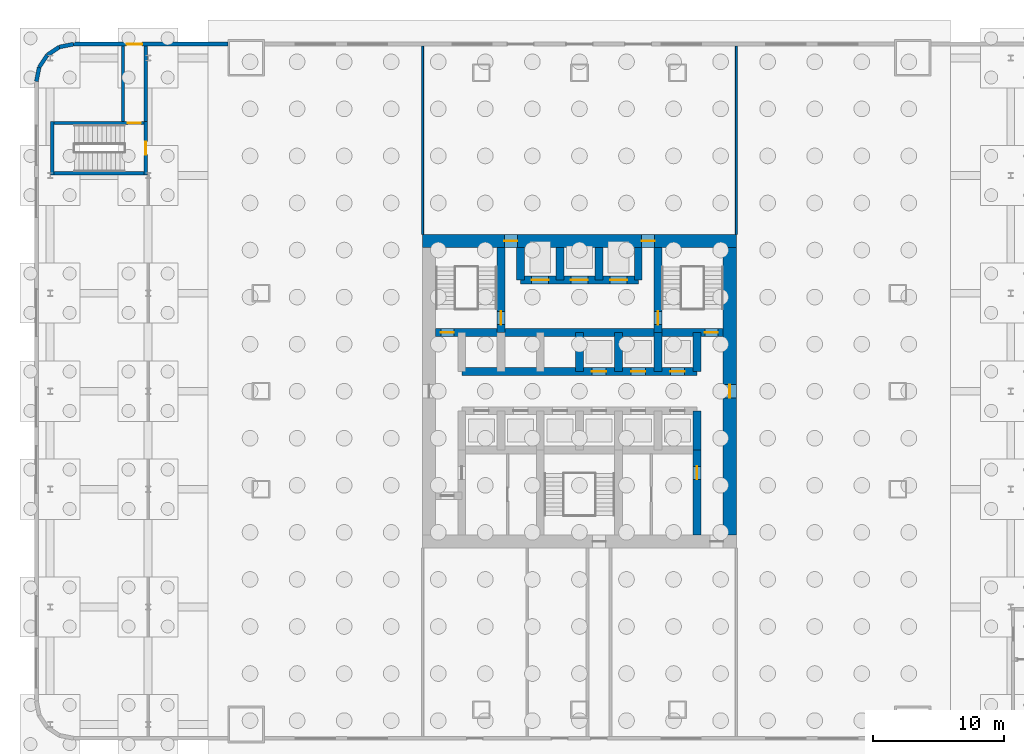
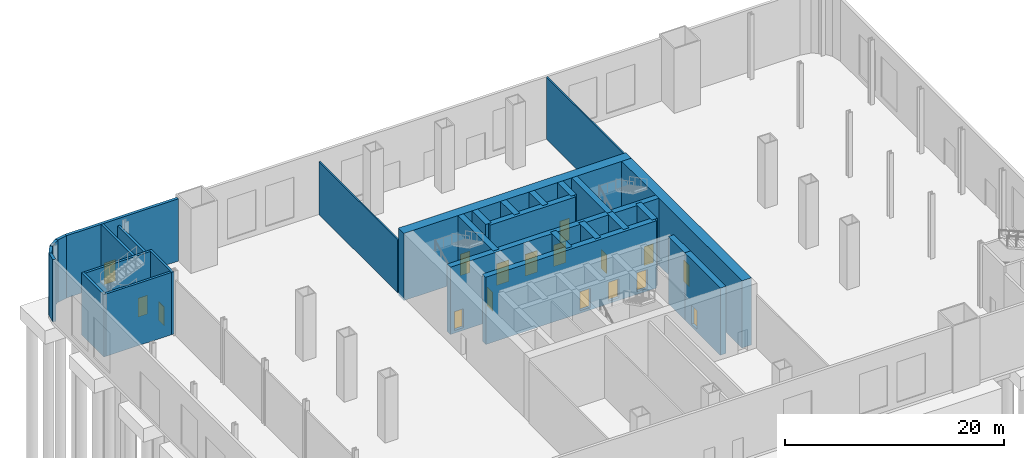
# One storey, part 5 of 10: 30 walls, 17 doors, 17 openings.
"""IFC4 building model written with IfcOpenShell, lengths in metres."""

from ifc_helpers import new_model, si_unit, direction, frame, frame_2d, origin, place, context, subcontext, project, spatial, rectangle, extrude, material, layer, layer_set, type_object, element, fill, save


model = new_model("IFC4")

# Units and contexts
model_context = context("Model", 3, precision=1e-05, world=origin(), true_north=direction((0.0, 1.0)))
body_context = subcontext(model_context, "Body", "Model", "MODEL_VIEW")
ifc_project = project(units=[si_unit("LENGTHUNIT", "METRE"), si_unit("AREAUNIT", "SQUARE_METRE"), si_unit("VOLUMEUNIT", "CUBIC_METRE"), si_unit("PLANEANGLEUNIT", "RADIAN"), si_unit("MASSUNIT", "GRAM", prefix="KILO")], contexts=[model_context])

# Site, building, storey
site_placement = place(None, origin())
site = spatial("IfcSite", under=ifc_project, at=site_placement, CompositionType="ELEMENT")
building_placement = place(site_placement, origin())
building = spatial("IfcBuilding", under=site, at=building_placement, Name="Tarangal Relay Tower", CompositionType="ELEMENT")
storey_placement = place(building_placement, origin())
storey = spatial("IfcBuildingStorey", under=building, at=storey_placement, Name="L00", CompositionType="ELEMENT", Elevation=0.0)

# Wall, openings, doors
ifc_material_1 = material(Name="Concrete fc' 60 MPa", Category="concrete")
ifc_layer_1 = layer(ifc_material_1, 0.60009765625)
ifc_layer_set_1 = layer_set([ifc_layer_1], Name="Core inner wall 600")
wall_type_1 = type_object("IfcWallType", Name="Core inner wall 600", PredefinedType="SHEAR", material=ifc_layer_set_1)
wall_1_placement = place(storey_placement, frame((-11.0, 4.5, -0.300048828125), z_axis=(0.0, 0.0, 1.0), x_axis=(1.0, 0.0, 0.0)))
wall_1 = element("IfcWall", 1, at=wall_1_placement, inside=storey, type_object=wall_type_1, Name="Core wall Y45 L00", PredefinedType="SHEAR", context=body_context, shape_type="SweptSolid", body=[
    extrude(rectangle(XDim=22.0, YDim=0.60009765625, at=frame_2d((11.0, 0.0))), origin(), (0.0, 0.0, 1.0), 7.5),
])
opening_1_placement = place(wall_1_placement, frame((0.39990234375, 0.0, 0.300048828125)))
opening_1 = element("IfcOpeningElement", 2, at=opening_1_placement, cuts=wall_1, Name="Opening FD1", PredefinedType="OPENING", context=body_context, shape_type="SweptSolid", body=[
    extrude(rectangle(XDim=1.0, YDim=2.10009765625, at=frame_2d((0.5, 1.050048828125))), frame((0.0, 0.31005859375, 0.0), z_axis=(0.0, -1.0, 0.0), x_axis=(1.0, 0.0, 0.0)), (0.0, 0.0, 1.0), 0.6201171875),
])
opening_2_placement = place(wall_1_placement, frame((20.60009765625, 0.0, 0.300048828125)))
opening_2 = element("IfcOpeningElement", 3, at=opening_2_placement, cuts=wall_1, Name="Opening FD1", PredefinedType="OPENING", context=body_context, shape_type="SweptSolid", body=[
    extrude(rectangle(XDim=1.0, YDim=2.10009765625, at=frame_2d((0.5, 1.050048828125))), frame((0.0, 0.31005859375, 0.0), z_axis=(0.0, -1.0, 0.0), x_axis=(1.0, 0.0, 0.0)), (0.0, 0.0, 1.0), 0.6201171875),
])
ifc_material_2 = material(Name="Steel door with hardwood frame", Category="steel")
door_type_1 = type_object("IfcDoorType", Name="Fire door 1000 x 2100", OperationType="SINGLE_SWING_LEFT", PredefinedType="DOOR", material=ifc_material_2)
door_1_placement = place(opening_1_placement, origin())
door_1 = element("IfcDoor", 4, at=door_1_placement, inside=storey, type_object=door_type_1, Name="Stair ST-A door from corridor L00", OperationType="SINGLE_SWING_LEFT", OverallHeight=2.10009765625, OverallWidth=1.0, PredefinedType="DOOR", context=body_context, shape_type="SweptSolid", body=[
    extrude(rectangle(XDim=1.0, YDim=2.10009765625, at=frame_2d((0.5, 1.050048828125))), frame((0.0, 0.02490234375, 0.0), z_axis=(0.0, -1.0, 0.0), x_axis=(1.0, 0.0, 0.0)), (0.0, 0.0, 1.0), 0.050048828125),
])
fill(opening_1, door_1)
door_2_placement = place(opening_2_placement, origin())
door_2 = element("IfcDoor", 5, at=door_2_placement, inside=storey, type_object=door_type_1, Name="Stair ST-B door from corridor L00", OperationType="SINGLE_SWING_LEFT", OverallHeight=2.10009765625, OverallWidth=1.0, PredefinedType="DOOR", context=body_context, shape_type="SweptSolid", body=[
    extrude(rectangle(XDim=1.0, YDim=2.10009765625, at=frame_2d((0.5, 1.050048828125))), frame((0.0, 0.02490234375, 0.0), z_axis=(0.0, -1.0, 0.0), x_axis=(1.0, 0.0, 0.0)), (0.0, 0.0, 1.0), 0.050048828125),
])
fill(opening_2, door_2)

wall_2_placement = place(storey_placement, frame((-9.0, 1.5, -0.300048828125), z_axis=(0.0, 0.0, 1.0), x_axis=(1.0, 0.0, 0.0)))
wall_2 = element("IfcWall", 6, at=wall_2_placement, inside=storey, type_object=wall_type_1, Name="Core wall Y15 L00", PredefinedType="SHEAR", context=body_context, shape_type="SweptSolid", body=[
    extrude(rectangle(XDim=18.0, YDim=0.60009765625, at=frame_2d((9.0, 0.0))), origin(), (0.0, 0.0, 1.0), 7.5),
])
opening_3_placement = place(wall_2_placement, frame((9.949951171875, 0.0, 0.300048828125)))
opening_3 = element("IfcOpeningElement", 7, at=opening_3_placement, cuts=wall_2, Name="Opening LD1", PredefinedType="OPENING", context=body_context, shape_type="SweptSolid", body=[
    extrude(rectangle(XDim=1.10009765625, YDim=2.10009765625, at=frame_2d((0.550048828125, 1.050048828125))), frame((0.0, 0.31005859375, 0.0), z_axis=(0.0, -1.0, 0.0), x_axis=(1.0, 0.0, 0.0)), (0.0, 0.0, 1.0), 0.6201171875),
])
opening_4_placement = place(wall_2_placement, frame((12.949951171875, 0.0, 0.300048828125)))
opening_4 = element("IfcOpeningElement", 8, at=opening_4_placement, cuts=wall_2, Name="Opening LD1", PredefinedType="OPENING", context=body_context, shape_type="SweptSolid", body=[
    extrude(rectangle(XDim=1.10009765625, YDim=2.10009765625, at=frame_2d((0.550048828125, 1.050048828125))), frame((0.0, 0.31005859375, 0.0), z_axis=(0.0, -1.0, 0.0), x_axis=(1.0, 0.0, 0.0)), (0.0, 0.0, 1.0), 0.6201171875),
])
opening_5_placement = place(wall_2_placement, frame((15.949951171875, 0.0, 0.300048828125)))
opening_5 = element("IfcOpeningElement", 9, at=opening_5_placement, cuts=wall_2, Name="Opening LD1", PredefinedType="OPENING", context=body_context, shape_type="SweptSolid", body=[
    extrude(rectangle(XDim=1.10009765625, YDim=2.10009765625, at=frame_2d((0.550048828125, 1.050048828125))), frame((0.0, 0.31005859375, 0.0), z_axis=(0.0, -1.0, 0.0), x_axis=(1.0, 0.0, 0.0)), (0.0, 0.0, 1.0), 0.6201171875),
])
door_type_2 = type_object("IfcDoorType", Name="Lift landing door 1100 x 2100", OperationType="SLIDING_TO_LEFT", PredefinedType="DOOR", material=ifc_material_2)
door_3_placement = place(opening_3_placement, origin())
door_3 = element("IfcDoor", 10, at=door_3_placement, inside=storey, type_object=door_type_2, Name="Lift T1 landing door L00", OperationType="SLIDING_TO_LEFT", OverallHeight=2.10009765625, OverallWidth=1.10009765625, PredefinedType="DOOR", context=body_context, shape_type="SweptSolid", body=[
    extrude(rectangle(XDim=1.10009765625, YDim=2.10009765625, at=frame_2d((0.550048828125, 1.050048828125))), frame((0.0, 0.02490234375, 0.0), z_axis=(0.0, -1.0, 0.0), x_axis=(1.0, 0.0, 0.0)), (0.0, 0.0, 1.0), 0.050048828125),
])
fill(opening_3, door_3)
door_4_placement = place(opening_4_placement, origin())
door_4 = element("IfcDoor", 11, at=door_4_placement, inside=storey, type_object=door_type_2, Name="Lift T2 landing door L00", OperationType="SLIDING_TO_LEFT", OverallHeight=2.10009765625, OverallWidth=1.10009765625, PredefinedType="DOOR", context=body_context, shape_type="SweptSolid", body=[
    extrude(rectangle(XDim=1.10009765625, YDim=2.10009765625, at=frame_2d((0.550048828125, 1.050048828125))), frame((0.0, 0.02490234375, 0.0), z_axis=(0.0, -1.0, 0.0), x_axis=(1.0, 0.0, 0.0)), (0.0, 0.0, 1.0), 0.050048828125),
])
fill(opening_4, door_4)
door_5_placement = place(opening_5_placement, origin())
door_5 = element("IfcDoor", 12, at=door_5_placement, inside=storey, type_object=door_type_2, Name="Lift T3 landing door L00", OperationType="SLIDING_TO_LEFT", OverallHeight=2.10009765625, OverallWidth=1.10009765625, PredefinedType="DOOR", context=body_context, shape_type="SweptSolid", body=[
    extrude(rectangle(XDim=1.10009765625, YDim=2.10009765625, at=frame_2d((0.550048828125, 1.050048828125))), frame((0.0, 0.02490234375, 0.0), z_axis=(0.0, -1.0, 0.0), x_axis=(1.0, 0.0, 0.0)), (0.0, 0.0, 1.0), 0.050048828125),
])
fill(opening_5, door_5)

wall_3_placement = place(storey_placement, frame((-4.5, 8.5, -0.300048828125), z_axis=(0.0, 0.0, 1.0), x_axis=(1.0, 0.0, 0.0)))
wall_3 = element("IfcWall", 13, at=wall_3_placement, inside=storey, type_object=wall_type_1, Name="Core wall Y85 L00", PredefinedType="SHEAR", context=body_context, shape_type="SweptSolid", body=[
    extrude(rectangle(XDim=9.0, YDim=0.60009765625, at=frame_2d((4.5, 0.0))), origin(), (0.0, 0.0, 1.0), 7.5),
])
opening_6_placement = place(wall_3_placement, frame((0.85009765625, 0.0, 0.300048828125)))
opening_6 = element("IfcOpeningElement", 14, at=opening_6_placement, cuts=wall_3, Name="Opening LD2", PredefinedType="OPENING", context=body_context, shape_type="SweptSolid", body=[
    extrude(rectangle(XDim=1.300048828125, YDim=2.39990234375, at=frame_2d((0.64990234375, 1.199951171875))), frame((0.0, 0.31005859375, 0.0), z_axis=(0.0, -1.0, 0.0), x_axis=(1.0, 0.0, 0.0)), (0.0, 0.0, 1.0), 0.6201171875),
])
opening_7_placement = place(wall_3_placement, frame((6.85009765625, 0.0, 0.300048828125)))
opening_7 = element("IfcOpeningElement", 15, at=opening_7_placement, cuts=wall_3, Name="Opening LD2", PredefinedType="OPENING", context=body_context, shape_type="SweptSolid", body=[
    extrude(rectangle(XDim=1.300048828125, YDim=2.39990234375, at=frame_2d((0.64990234375, 1.199951171875))), frame((0.0, 0.31005859375, 0.0), z_axis=(0.0, -1.0, 0.0), x_axis=(1.0, 0.0, 0.0)), (0.0, 0.0, 1.0), 0.6201171875),
])
opening_8_placement = place(wall_3_placement, frame((3.85009765625, 0.0, 0.300048828125)))
opening_8 = element("IfcOpeningElement", 16, at=opening_8_placement, cuts=wall_3, Name="Opening LD2", PredefinedType="OPENING", context=body_context, shape_type="SweptSolid", body=[
    extrude(rectangle(XDim=1.300048828125, YDim=2.39990234375, at=frame_2d((0.64990234375, 1.199951171875))), frame((0.0, 0.31005859375, 0.0), z_axis=(0.0, -1.0, 0.0), x_axis=(1.0, 0.0, 0.0)), (0.0, 0.0, 1.0), 0.6201171875),
])
door_type_3 = type_object("IfcDoorType", Name="Lift landing door 1300 x 2400", OperationType="SLIDING_TO_LEFT", PredefinedType="DOOR", material=ifc_material_2)
door_6_placement = place(opening_6_placement, origin())
door_6 = element("IfcDoor", 17, at=door_6_placement, inside=storey, type_object=door_type_3, Name="Lift FF1 landing door L00", OperationType="SLIDING_TO_LEFT", OverallHeight=2.39990234375, OverallWidth=1.300048828125, PredefinedType="DOOR", context=body_context, shape_type="SweptSolid", body=[
    extrude(rectangle(XDim=1.300048828125, YDim=2.39990234375, at=frame_2d((0.64990234375, 1.199951171875))), frame((0.0, 0.02490234375, 0.0), z_axis=(0.0, -1.0, 0.0), x_axis=(1.0, 0.0, 0.0)), (0.0, 0.0, 1.0), 0.050048828125),
])
fill(opening_6, door_6)
door_7_placement = place(opening_7_placement, origin())
door_7 = element("IfcDoor", 18, at=door_7_placement, inside=storey, type_object=door_type_3, Name="Lift FF2 landing door L00", OperationType="SLIDING_TO_LEFT", OverallHeight=2.39990234375, OverallWidth=1.300048828125, PredefinedType="DOOR", context=body_context, shape_type="SweptSolid", body=[
    extrude(rectangle(XDim=1.300048828125, YDim=2.39990234375, at=frame_2d((0.64990234375, 1.199951171875))), frame((0.0, 0.02490234375, 0.0), z_axis=(0.0, -1.0, 0.0), x_axis=(1.0, 0.0, 0.0)), (0.0, 0.0, 1.0), 0.050048828125),
])
fill(opening_7, door_7)
door_8_placement = place(opening_8_placement, origin())
door_8 = element("IfcDoor", 19, at=door_8_placement, inside=storey, type_object=door_type_3, Name="Lift SV1 landing door L00", OperationType="SLIDING_TO_LEFT", OverallHeight=2.39990234375, OverallWidth=1.300048828125, PredefinedType="DOOR", context=body_context, shape_type="SweptSolid", body=[
    extrude(rectangle(XDim=1.300048828125, YDim=2.39990234375, at=frame_2d((0.64990234375, 1.199951171875))), frame((0.0, 0.02490234375, 0.0), z_axis=(0.0, -1.0, 0.0), x_axis=(1.0, 0.0, 0.0)), (0.0, 0.0, 1.0), 0.050048828125),
])
fill(opening_8, door_8)

# Walls
for number, where, z_axis, x_axis, name in (
    (20, (9.0, 1.5, -0.300048828125), (0.0, 0.0, 1.0), (0.0, 1.0, 0.0), "Core wall X9N L00"),
    (21, (9.0, -4.5, -0.300048828125), (0.0, 0.0, 1.0), (0.0, 1.0, 0.0), "Core wall X9S L00"),
    (22, (0.0, 1.5, -0.300048828125), (0.0, 0.0, 1.0), (0.0, 1.0, 0.0), "Core wall X0N L00"),
    (23, (3.0, 1.5, -0.300048828125), (0.0, 0.0, 1.0), (0.0, 1.0, 0.0), "Core wall X3N L00"),
    (24, (6.0, 1.5, -0.300048828125), (0.0, 0.0, 1.0), (0.0, 1.0, 0.0), "Core wall X6N L00"),
):
    element("IfcWall", number, at=place(storey_placement, frame(where, z_axis=z_axis, x_axis=x_axis)), inside=storey, type_object=wall_type_1, Name=name, PredefinedType="SHEAR", context=body_context, shape_type="SweptSolid", body=[
        extrude(rectangle(XDim=3.0, YDim=0.60009765625, at=frame_2d((1.5, 0.0))), origin(), (0.0, 0.0, 1.0), 7.5),
    ])

# Wall, opening, door
wall_4_placement = place(storey_placement, frame((-6.0, 4.5, -0.300048828125), z_axis=(0.0, 0.0, 1.0), x_axis=(0.0, 1.0, 0.0)))
wall_4 = element("IfcWall", 25, at=wall_4_placement, inside=storey, type_object=wall_type_1, Name="Core wall XM6 L00", PredefinedType="SHEAR", context=body_context, shape_type="SweptSolid", body=[
    extrude(rectangle(XDim=6.5, YDim=0.60009765625, at=frame_2d((3.25, 0.0))), origin(), (0.0, 0.0, 1.0), 7.5),
])
opening_9_placement = place(wall_4_placement, frame((0.60009765625, 0.0, 0.300048828125)))
opening_9 = element("IfcOpeningElement", 26, at=opening_9_placement, cuts=wall_4, Name="Opening FD1", PredefinedType="OPENING", context=body_context, shape_type="SweptSolid", body=[
    extrude(rectangle(XDim=1.0, YDim=2.10009765625, at=frame_2d((0.5, 1.050048828125))), frame((0.0, 0.31005859375, 0.0), z_axis=(0.0, -1.0, 0.0), x_axis=(1.0, 0.0, 0.0)), (0.0, 0.0, 1.0), 0.6201171875),
])
door_9_placement = place(opening_9_placement, origin())
door_9 = element("IfcDoor", 27, at=door_9_placement, inside=storey, type_object=door_type_1, Name="Stair ST-A door from fire-fighting lobby L00", OperationType="SINGLE_SWING_LEFT", OverallHeight=2.10009765625, OverallWidth=1.0, PredefinedType="DOOR", context=body_context, shape_type="SweptSolid", body=[
    extrude(rectangle(XDim=1.0, YDim=2.10009765625, at=frame_2d((0.5, 1.050048828125))), frame((0.0, 0.02490234375, 0.0), z_axis=(0.0, -1.0, 0.0), x_axis=(1.0, 0.0, 0.0)), (0.0, 0.0, 1.0), 0.050048828125),
])
fill(opening_9, door_9)

wall_5_placement = place(storey_placement, frame((6.0, 4.5, -0.300048828125), z_axis=(0.0, 0.0, 1.0), x_axis=(0.0, 1.0, 0.0)))
wall_5 = element("IfcWall", 28, at=wall_5_placement, inside=storey, type_object=wall_type_1, Name="Core wall X6 L00", PredefinedType="SHEAR", context=body_context, shape_type="SweptSolid", body=[
    extrude(rectangle(XDim=6.5, YDim=0.60009765625, at=frame_2d((3.25, 0.0))), origin(), (0.0, 0.0, 1.0), 7.5),
])
opening_10_placement = place(wall_5_placement, frame((0.60009765625, 0.0, 0.300048828125)))
opening_10 = element("IfcOpeningElement", 29, at=opening_10_placement, cuts=wall_5, Name="Opening FD1", PredefinedType="OPENING", context=body_context, shape_type="SweptSolid", body=[
    extrude(rectangle(XDim=1.0, YDim=2.10009765625, at=frame_2d((0.5, 1.050048828125))), frame((0.0, 0.31005859375, 0.0), z_axis=(0.0, -1.0, 0.0), x_axis=(1.0, 0.0, 0.0)), (0.0, 0.0, 1.0), 0.6201171875),
])
door_10_placement = place(opening_10_placement, origin())
door_10 = element("IfcDoor", 30, at=door_10_placement, inside=storey, type_object=door_type_1, Name="Stair ST-B door from fire-fighting lobby L00", OperationType="SINGLE_SWING_LEFT", OverallHeight=2.10009765625, OverallWidth=1.0, PredefinedType="DOOR", context=body_context, shape_type="SweptSolid", body=[
    extrude(rectangle(XDim=1.0, YDim=2.10009765625, at=frame_2d((0.5, 1.050048828125))), frame((0.0, 0.02490234375, 0.0), z_axis=(0.0, -1.0, 0.0), x_axis=(1.0, 0.0, 0.0)), (0.0, 0.0, 1.0), 0.050048828125),
])
fill(opening_10, door_10)

# Walls
for number, where, z_axis, x_axis, name in (
    (31, (-4.5, 8.5, -0.300048828125), (0.0, 0.0, 1.0), (0.0, 1.0, 0.0), "Core wall XM45 L00"),
    (32, (4.5, 8.5, -0.300048828125), (0.0, 0.0, 1.0), (0.0, 1.0, 0.0), "Core wall X45 L00"),
    (33, (-1.5, 8.5, -0.300048828125), (0.0, 0.0, 1.0), (0.0, 1.0, 0.0), "Core wall XM15 L00"),
    (34, (1.5, 8.5, -0.300048828125), (0.0, 0.0, 1.0), (0.0, 1.0, 0.0), "Core wall X15 L00"),
):
    element("IfcWall", number, at=place(storey_placement, frame(where, z_axis=z_axis, x_axis=x_axis)), inside=storey, type_object=wall_type_1, Name=name, PredefinedType="SHEAR", context=body_context, shape_type="SweptSolid", body=[
        extrude(rectangle(XDim=2.5, YDim=0.60009765625, at=frame_2d((1.25, 0.0))), origin(), (0.0, 0.0, 1.0), 7.5),
    ])

# Wall, opening, door
wall_6_placement = place(storey_placement, frame((9.0, -11.0, -0.300048828125), z_axis=(0.0, 0.0, 1.0), x_axis=(0.0, 1.0, 0.0)))
wall_6 = element("IfcWall", 35, at=wall_6_placement, inside=storey, type_object=wall_type_1, Name="Core wall X9W L00", PredefinedType="SHEAR", context=body_context, shape_type="SweptSolid", body=[
    extrude(rectangle(XDim=6.5, YDim=0.60009765625, at=frame_2d((3.25, 0.0))), origin(), (0.0, 0.0, 1.0), 7.5),
])
opening_11_placement = place(wall_6_placement, frame((4.25, 0.0, 0.300048828125)))
opening_11 = element("IfcOpeningElement", 36, at=opening_11_placement, cuts=wall_6, Name="Opening D1", PredefinedType="OPENING", context=body_context, shape_type="SweptSolid", body=[
    extrude(rectangle(XDim=1.0, YDim=2.10009765625, at=frame_2d((0.5, 1.050048828125))), frame((0.0, 0.31005859375, 0.0), z_axis=(0.0, -1.0, 0.0), x_axis=(1.0, 0.0, 0.0)), (0.0, 0.0, 1.0), 0.6201171875),
])
ifc_material_3 = material(Name="Hardwood door", Category="wood")
door_type_4 = type_object("IfcDoorType", Name="WC door 1000 x 2100", OperationType="SINGLE_SWING_LEFT", PredefinedType="DOOR", material=ifc_material_3)
door_11_placement = place(opening_11_placement, origin())
door_11 = element("IfcDoor", 37, at=door_11_placement, inside=storey, type_object=door_type_4, Name="Female WC door L00", OperationType="SINGLE_SWING_LEFT", OverallHeight=2.10009765625, OverallWidth=1.0, PredefinedType="DOOR", context=body_context, shape_type="SweptSolid", body=[
    extrude(rectangle(XDim=1.0, YDim=2.10009765625, at=frame_2d((0.5, 1.050048828125))), frame((0.0, 0.02490234375, 0.0), z_axis=(0.0, -1.0, 0.0), x_axis=(1.0, 0.0, 0.0)), (0.0, 0.0, 1.0), 0.050048828125),
])
fill(opening_11, door_11)

# Wall, openings, doors
ifc_layer_2 = layer(ifc_material_1, 1.0)
ifc_layer_set_2 = layer_set([ifc_layer_2], Name="Core wall 1000")
wall_type_2 = type_object("IfcWallType", Name="Core wall 1000", PredefinedType="SHEAR", material=ifc_layer_set_2)
wall_7_placement = place(storey_placement, frame((-12.0, 11.5, -0.300048828125), z_axis=(0.0, 0.0, 1.0), x_axis=(1.0, 0.0, 0.0)))
wall_7 = element("IfcWall", 38, at=wall_7_placement, inside=storey, type_object=wall_type_2, Name="Core wall N L00", PredefinedType="SHEAR", context=body_context, shape_type="SweptSolid", body=[
    extrude(rectangle(XDim=24.0, YDim=1.0, at=frame_2d((12.0, 0.0))), origin(), (0.0, 0.0, 1.0), 7.5),
])
opening_12_placement = place(wall_7_placement, frame((6.25, 0.0, 0.300048828125)))
opening_12 = element("IfcOpeningElement", 39, at=opening_12_placement, cuts=wall_7, Name="Opening FD3", PredefinedType="OPENING", context=body_context, shape_type="SweptSolid", body=[
    extrude(rectangle(XDim=1.0, YDim=2.39990234375, at=frame_2d((0.5, 1.199951171875))), frame((0.0, 0.510009765625, 0.0), z_axis=(0.0, -1.0, 0.0), x_axis=(1.0, 0.0, 0.0)), (0.0, 0.0, 1.0), 1.02001953125),
])
opening_13_placement = place(wall_7_placement, frame((16.75, 0.0, 0.300048828125)))
opening_13 = element("IfcOpeningElement", 40, at=opening_13_placement, cuts=wall_7, Name="Opening FD3", PredefinedType="OPENING", context=body_context, shape_type="SweptSolid", body=[
    extrude(rectangle(XDim=1.0, YDim=2.39990234375, at=frame_2d((0.5, 1.199951171875))), frame((0.0, 0.510009765625, 0.0), z_axis=(0.0, -1.0, 0.0), x_axis=(1.0, 0.0, 0.0)), (0.0, 0.0, 1.0), 1.02001953125),
])
door_type_5 = type_object("IfcDoorType", Name="Fire door 1000 x 2400 core entry", OperationType="SINGLE_SWING_RIGHT", PredefinedType="DOOR", material=ifc_material_2)
door_12_placement = place(opening_12_placement, origin())
door_12 = element("IfcDoor", 41, at=door_12_placement, inside=storey, type_object=door_type_5, Name="Core entry door north west L00", OperationType="SINGLE_SWING_RIGHT", OverallHeight=2.39990234375, OverallWidth=1.0, PredefinedType="DOOR", context=body_context, shape_type="SweptSolid", body=[
    extrude(rectangle(XDim=1.0, YDim=2.39990234375, at=frame_2d((0.5, 1.199951171875))), frame((0.0, 0.02490234375, 0.0), z_axis=(0.0, -1.0, 0.0), x_axis=(1.0, 0.0, 0.0)), (0.0, 0.0, 1.0), 0.050048828125),
])
fill(opening_12, door_12)
door_13_placement = place(opening_13_placement, origin())
door_13 = element("IfcDoor", 42, at=door_13_placement, inside=storey, type_object=door_type_5, Name="Core entry door north east L00", OperationType="SINGLE_SWING_RIGHT", OverallHeight=2.39990234375, OverallWidth=1.0, PredefinedType="DOOR", context=body_context, shape_type="SweptSolid", body=[
    extrude(rectangle(XDim=1.0, YDim=2.39990234375, at=frame_2d((0.5, 1.199951171875))), frame((0.0, 0.02490234375, 0.0), z_axis=(0.0, -1.0, 0.0), x_axis=(1.0, 0.0, 0.0)), (0.0, 0.0, 1.0), 0.050048828125),
])
fill(opening_13, door_13)

# Wall, opening, door
wall_8_placement = place(storey_placement, frame((11.5, 11.0, -0.300048828125), z_axis=(0.0, 0.0, 1.0), x_axis=(0.0, -1.0, 0.0)))
wall_8 = element("IfcWall", 43, at=wall_8_placement, inside=storey, type_object=wall_type_2, Name="Core wall E L00", PredefinedType="SHEAR", context=body_context, shape_type="SweptSolid", body=[
    extrude(rectangle(XDim=22.0, YDim=1.0, at=frame_2d((11.0, 0.0))), origin(), (0.0, 0.0, 1.0), 7.5),
])
opening_14_placement = place(wall_8_placement, frame((10.5, 0.0, 0.300048828125)))
opening_14 = element("IfcOpeningElement", 44, at=opening_14_placement, cuts=wall_8, Name="Opening FD3", PredefinedType="OPENING", context=body_context, shape_type="SweptSolid", body=[
    extrude(rectangle(XDim=1.0, YDim=2.39990234375, at=frame_2d((0.5, 1.199951171875))), frame((0.0, 0.510009765625, 0.0), z_axis=(0.0, -1.0, 0.0), x_axis=(1.0, 0.0, 0.0)), (0.0, 0.0, 1.0), 1.02001953125),
])
door_14_placement = place(opening_14_placement, origin())
door_14 = element("IfcDoor", 45, at=door_14_placement, inside=storey, type_object=door_type_5, Name="Core entry door east L00", OperationType="SINGLE_SWING_RIGHT", OverallHeight=2.39990234375, OverallWidth=1.0, PredefinedType="DOOR", context=body_context, shape_type="SweptSolid", body=[
    extrude(rectangle(XDim=1.0, YDim=2.39990234375, at=frame_2d((0.5, 1.199951171875))), frame((0.0, 0.02490234375, 0.0), z_axis=(0.0, -1.0, 0.0), x_axis=(1.0, 0.0, 0.0)), (0.0, 0.0, 1.0), 0.050048828125),
])
fill(opening_14, door_14)

# Walls
ifc_material_4 = material(Name="Gypsum board on steel studs", Category="steel")
ifc_layer_3 = layer(ifc_material_4, 0.14990234375)
ifc_layer_set_3 = layer_set([ifc_layer_3], Name="Partition 150")
wall_type_3 = type_object("IfcWallType", Name="Partition 150", PredefinedType="PARTITIONING", material=ifc_layer_set_3)
wall_9_placement = place(storey_placement, frame((-12.0, 12.0, 0.0), z_axis=(0.0, 0.0, 1.0), x_axis=(0.0, 1.0, 0.0)))
element("IfcWall", 46, at=wall_9_placement, inside=storey, type_object=wall_type_3, Name="Partition PT1 L00", PredefinedType="PARTITIONING", context=body_context, shape_type="SweptSolid", body=[
    extrude(rectangle(XDim=14.39990234375, YDim=0.14990234375, at=frame_2d((7.199951171875, 0.0))), origin(), (0.0, 0.0, 1.0), 5.90869140625),
])
wall_10_placement = place(storey_placement, frame((12.0, 12.0, 0.0), z_axis=(0.0, 0.0, 1.0), x_axis=(0.0, 1.0, 0.0)))
element("IfcWall", 47, at=wall_10_placement, inside=storey, type_object=wall_type_3, Name="Partition PT1 L00", PredefinedType="PARTITIONING", context=body_context, shape_type="SweptSolid", body=[
    extrude(rectangle(XDim=14.39990234375, YDim=0.14990234375, at=frame_2d((7.199951171875, 0.0))), origin(), (0.0, 0.0, 1.0), 6.949951171875),
])

# Wall, opening, door
ifc_material_5 = material(Name="Black granite clad concrete wall", Category="masonry")
ifc_layer_4 = layer(ifc_material_5, 0.300048828125)
ifc_layer_set_4 = layer_set([ifc_layer_4], Name="Podium wall 300")
wall_type_4 = type_object("IfcWallType", Name="Podium wall 300", PredefinedType="SOLIDWALL", material=ifc_layer_set_4)
wall_11_placement = place(storey_placement, frame((-26.89990234375, 26.550048828125, 0.0), z_axis=(0.0, 0.0, 1.0), x_axis=(-1.0, 0.0, 0.0)))
wall_11 = element("IfcWall", 48, at=wall_11_placement, inside=storey, type_object=wall_type_4, Name="Podium wall Podium N facade L00", PredefinedType="SOLIDWALL", context=body_context, shape_type="SweptSolid", body=[
    extrude(rectangle(XDim=11.800048828125, YDim=0.300048828125, at=frame_2d((5.89990234375, 0.0))), origin(), (0.0, 0.0, 1.0), 6.949951171875),
])
opening_15_placement = place(wall_11_placement, frame((6.550048828125, 0.0, 0.0)))
opening_15 = element("IfcOpeningElement", 49, at=opening_15_placement, cuts=wall_11, Name="Opening ED2", PredefinedType="OPENING", context=body_context, shape_type="SweptSolid", body=[
    extrude(rectangle(XDim=1.199951171875, YDim=2.39990234375, at=frame_2d((0.60009765625, 1.199951171875))), frame((0.0, 0.159912109375, 0.0), z_axis=(0.0, -1.0, 0.0), x_axis=(1.0, 0.0, 0.0)), (0.0, 0.0, 1.0), 0.320068359375),
])
door_type_6 = type_object("IfcDoorType", Name="Exit door 1200 x 2400", OperationType="SINGLE_SWING_RIGHT", PredefinedType="DOOR", material=ifc_material_2)
door_15_placement = place(opening_15_placement, frame((1.199951171875, 0.0, 0.0), z_axis=(0.0, 0.0, 1.0), x_axis=(-1.0, 0.0, 0.0)))
door_15 = element("IfcDoor", 50, at=door_15_placement, inside=storey, type_object=door_type_6, Name="Exit door ED2 podium N face", OperationType="SINGLE_SWING_RIGHT", OverallHeight=2.39990234375, OverallWidth=1.199951171875, PredefinedType="DOOR", context=body_context, shape_type="SweptSolid", body=[
    extrude(rectangle(XDim=1.199951171875, YDim=2.39990234375, at=frame_2d((0.60009765625, 1.199951171875))), frame((0.0, 0.02490234375, 0.0), z_axis=(0.0, -1.0, 0.0), x_axis=(1.0, 0.0, 0.0)), (0.0, 0.0, 1.0), 0.050048828125),
])
fill(opening_15, door_15)

# Walls
for number, where, z_axis, x_axis, name in (
    (51, (-38.699951171875, 26.550048828125, 0.0), (0.0, 0.0, 1.0), (-0.980766015647, -0.195187147506, 0.0), "Podium corner wall L00"),
    (52, (-39.79052734375, 26.3330078125, 0.0), (0.0, 0.0, 1.0), (-0.831577159616, -0.555409243355, 0.0), "Podium corner wall L00"),
    (53, (-40.71533203125, 25.71533203125, 0.0), (0.0, 0.0, 1.0), (-0.555409243355, -0.831577159616, 0.0), "Podium corner wall L00"),
    (54, (-41.3330078125, 24.79052734375, 0.0), (0.0, 0.0, 1.0), (-0.195187147506, -0.980766015647, 0.0), "Podium corner wall L00"),
):
    element("IfcWall", number, at=place(storey_placement, frame(where, z_axis=z_axis, x_axis=x_axis)), inside=storey, type_object=wall_type_4, Name=name, PredefinedType="SOLIDWALL", context=body_context, shape_type="SweptSolid", body=[
        extrude(rectangle(XDim=1.112060546875, YDim=0.300048828125, at=frame_2d((0.55615234375, 0.0))), origin(), (0.0, 0.0, 1.0), 6.949951171875),
    ])
ifc_material_6 = material(Name="Concrete blockwork", Category="masonry")
ifc_layer_5 = layer(ifc_material_6, 0.25)
ifc_layer_set_5 = layer_set([ifc_layer_5], Name="Stair enclosure wall 250")
wall_type_5 = type_object("IfcWallType", Name="Stair enclosure wall 250", PredefinedType="SOLIDWALL", material=ifc_layer_set_5)
wall_12_placement = place(storey_placement, frame((-40.324951171875, 16.550048828125, 0.0), z_axis=(0.0, 0.0, 1.0), x_axis=(0.0, 1.0, 0.0)))
element("IfcWall", 55, at=wall_12_placement, inside=storey, type_object=wall_type_5, Name="Stair ST-D enclosure wall L00", PredefinedType="SOLIDWALL", context=body_context, shape_type="SweptSolid", body=[
    extrude(rectangle(XDim=4.099853515625, YDim=0.25, at=frame_2d((2.0498046875, 0.0))), origin(), (0.0, 0.0, 1.0), 6.949951171875),
])

# Wall, opening, door
wall_13_placement = place(storey_placement, frame((-33.175048828125, 16.550048828125, 0.0), z_axis=(0.0, 0.0, 1.0), x_axis=(0.0, 1.0, 0.0)))
wall_13 = element("IfcWall", 56, at=wall_13_placement, inside=storey, type_object=wall_type_5, Name="Stair ST-D enclosure wall L00", PredefinedType="SOLIDWALL", context=body_context, shape_type="SweptSolid", body=[
    extrude(rectangle(XDim=4.099853515625, YDim=0.25, at=frame_2d((2.0498046875, 0.0))), origin(), (0.0, 0.0, 1.0), 6.949951171875),
])
opening_16_placement = place(wall_13_placement, frame((1.550048828125, 0.0, 0.0)))
opening_16 = element("IfcOpeningElement", 57, at=opening_16_placement, cuts=wall_13, Name="Opening FD1", PredefinedType="OPENING", context=body_context, shape_type="SweptSolid", body=[
    extrude(rectangle(XDim=1.0, YDim=2.10009765625, at=frame_2d((0.5, 1.050048828125))), frame((0.0, 0.135009765625, 0.0), z_axis=(0.0, -1.0, 0.0), x_axis=(1.0, 0.0, 0.0)), (0.0, 0.0, 1.0), 0.27001953125),
])
door_16_placement = place(opening_16_placement, origin())
door_16 = element("IfcDoor", 58, at=door_16_placement, inside=storey, type_object=door_type_1, Name="Stair ST-D door L00", OperationType="SINGLE_SWING_LEFT", OverallHeight=2.10009765625, OverallWidth=1.0, PredefinedType="DOOR", context=body_context, shape_type="SweptSolid", body=[
    extrude(rectangle(XDim=1.0, YDim=2.10009765625, at=frame_2d((0.5, 1.050048828125))), frame((0.0, 0.02490234375, 0.0), z_axis=(0.0, -1.0, 0.0), x_axis=(1.0, 0.0, 0.0)), (0.0, 0.0, 1.0), 0.050048828125),
])
fill(opening_16, door_16)

# Wall
wall_14_placement = place(storey_placement, frame((-40.199951171875, 16.675048828125, 0.0), z_axis=(0.0, 0.0, 1.0), x_axis=(1.0, 0.0, 0.0)))
element("IfcWall", 59, at=wall_14_placement, inside=storey, type_object=wall_type_5, Name="Stair ST-D enclosure wall L00", PredefinedType="SOLIDWALL", context=body_context, shape_type="SweptSolid", body=[
    extrude(rectangle(XDim=6.89990234375, YDim=0.25, at=frame_2d((3.449951171875, 0.0))), origin(), (0.0, 0.0, 1.0), 6.949951171875),
])

# Wall, opening, door
wall_15_placement = place(storey_placement, frame((-40.199951171875, 20.52490234375, 0.0), z_axis=(0.0, 0.0, 1.0), x_axis=(1.0, 0.0, 0.0)))
wall_15 = element("IfcWall", 60, at=wall_15_placement, inside=storey, type_object=wall_type_5, Name="Stair ST-D enclosure wall L00", PredefinedType="SOLIDWALL", context=body_context, shape_type="SweptSolid", body=[
    extrude(rectangle(XDim=6.89990234375, YDim=0.25, at=frame_2d((3.449951171875, 0.0))), origin(), (0.0, 0.0, 1.0), 6.949951171875),
])
opening_17_placement = place(wall_15_placement, frame((5.64990234375, 0.0, 0.0)))
opening_17 = element("IfcOpeningElement", 61, at=opening_17_placement, cuts=wall_15, Name="Opening FD1", PredefinedType="OPENING", context=body_context, shape_type="SweptSolid", body=[
    extrude(rectangle(XDim=1.0, YDim=2.10009765625, at=frame_2d((0.5, 1.050048828125))), frame((0.0, 0.135009765625, 0.0), z_axis=(0.0, -1.0, 0.0), x_axis=(1.0, 0.0, 0.0)), (0.0, 0.0, 1.0), 0.27001953125),
])
door_17_placement = place(opening_17_placement, origin())
door_17 = element("IfcDoor", 62, at=door_17_placement, inside=storey, type_object=door_type_1, Name="Stair ST-D exit door L00", OperationType="SINGLE_SWING_LEFT", OverallHeight=2.10009765625, OverallWidth=1.0, PredefinedType="DOOR", context=body_context, shape_type="SweptSolid", body=[
    extrude(rectangle(XDim=1.0, YDim=2.10009765625, at=frame_2d((0.5, 1.050048828125))), frame((0.0, 0.02490234375, 0.0), z_axis=(0.0, -1.0, 0.0), x_axis=(1.0, 0.0, 0.0)), (0.0, 0.0, 1.0), 0.050048828125),
])
fill(opening_17, door_17)

# Walls
wall_16_placement = place(storey_placement, frame((-34.925048828125, 20.64990234375, 0.0), z_axis=(0.0, 0.0, 1.0), x_axis=(0.0, 1.0, 0.0)))
element("IfcWall", 63, at=wall_16_placement, inside=storey, type_object=wall_type_5, Name="Exit passage wall ST-D L00", PredefinedType="SOLIDWALL", context=body_context, shape_type="SweptSolid", body=[
    extrude(rectangle(XDim=5.75, YDim=0.25, at=frame_2d((2.875, 0.0))), origin(), (0.0, 0.0, 1.0), 6.949951171875),
])
wall_17_placement = place(storey_placement, frame((-33.175048828125, 20.64990234375, 0.0), z_axis=(0.0, 0.0, 1.0), x_axis=(0.0, 1.0, 0.0)))
element("IfcWall", 64, at=wall_17_placement, inside=storey, type_object=wall_type_5, Name="Exit passage wall ST-D L00", PredefinedType="SOLIDWALL", context=body_context, shape_type="SweptSolid", body=[
    extrude(rectangle(XDim=5.75, YDim=0.25, at=frame_2d((2.875, 0.0))), origin(), (0.0, 0.0, 1.0), 6.1650390625),
])

save(model, "model.ifc")
